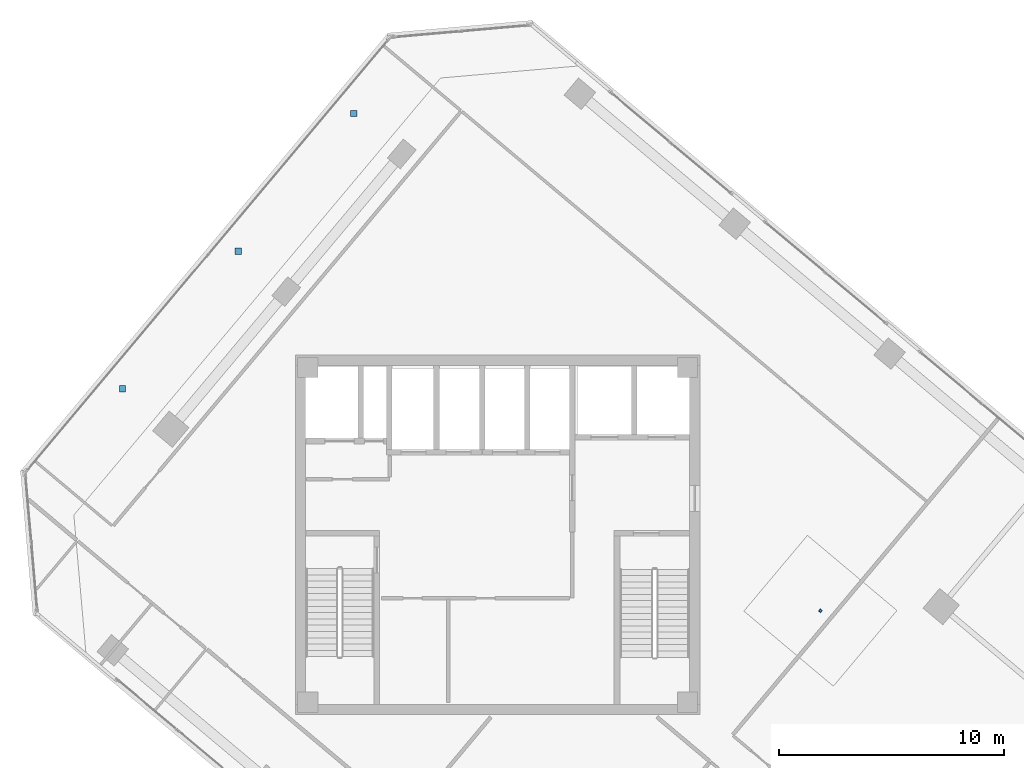
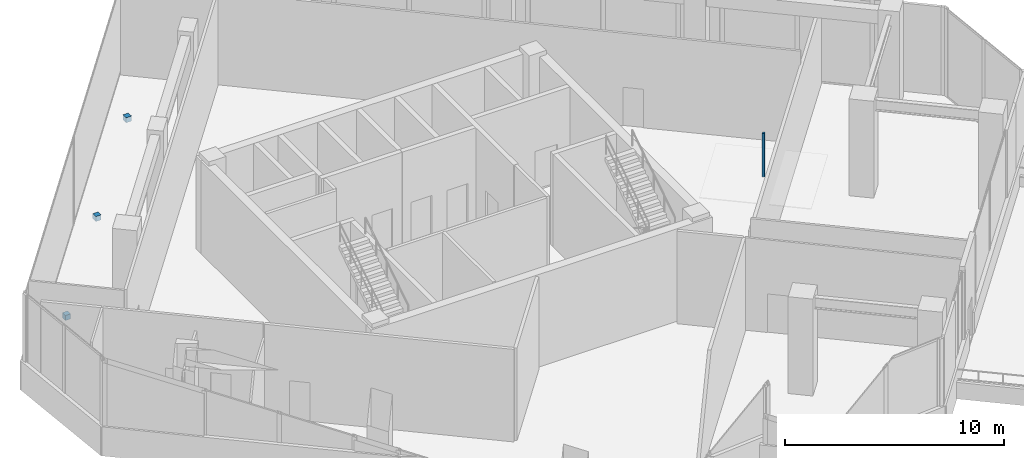
# One storey, part 14 of 17: 4 discrete accessories.
"""IFC4 building model written with IfcOpenShell, lengths in metres."""

from ifc_helpers import new_model, si_unit, direction, frame, origin, origin_2d, place, context, subcontext, project, spatial, rectangle, extrude, source, transform, mapped, material, type_object, element, save


model = new_model("IFC4")

# Units and contexts
model_context = context("Model", 3, precision=1e-05, world=origin(), true_north=direction((0.0, 1.0)))
body_context = subcontext(model_context, "Body", "Model", "MODEL_VIEW")
ifc_project = project(units=[si_unit("LENGTHUNIT", "METRE"), si_unit("AREAUNIT", "SQUARE_METRE"), si_unit("VOLUMEUNIT", "CUBIC_METRE"), si_unit("PLANEANGLEUNIT", "RADIAN"), si_unit("MASSUNIT", "GRAM", prefix="KILO")], contexts=[model_context])

# Site, building, storey
site_placement = place(None, origin())
site = spatial("IfcSite", under=ifc_project, at=site_placement, CompositionType="ELEMENT")
building_placement = place(site_placement, origin())
building = spatial("IfcBuilding", under=site, at=building_placement, Name="Torre Montelarca", CompositionType="ELEMENT")
storey_placement = place(building_placement, frame((0.0, 0.0, 215.199951171875)))
storey = spatial("IfcBuildingStorey", under=building, at=storey_placement, Name="L48", CompositionType="ELEMENT", Elevation=215.199951171875)

# Discrete accessories
ifc_material_1 = material(Name="Stainless steel AISI 316", Category="steel")
discrete_accessory_type_1 = type_object("IfcDiscreteAccessoryType", Name="ACC-BRACKET-SS", PredefinedType="BRACKET", material=ifc_material_1)
shared_shape_1 = source(origin(), body_context, "Body", "SweptSolid", [
    extrude(rectangle(XDim=0.280029296875, YDim=0.280029296875, at=origin_2d()), origin(), (0.0, 0.0, 1.0), 0.280029296875),
])
for number, where, z_axis, x_axis, name in (
    (1, (1.304931640625, 38.50244140625, -0.27978515625), (0.0, 0.0, 1.0), (1.0, 0.0, 0.0), "L48 Raker End Connection Bracket W1-HD"),
    (2, (6.447265625, 44.630859375, -0.27978515625), (0.0, 0.0, 1.0), (1.0, 0.0, 0.0), "L48 Raker End Connection Bracket W2-HD"),
    (3, (11.589599609375, 50.759033203125, -0.27978515625), (0.0, 0.0, 1.0), (1.0, 0.0, 0.0), "L48 Raker End Connection Bracket W3-HD"),
):
    element("IfcDiscreteAccessory", number, at=place(storey_placement, frame(where, z_axis=z_axis, x_axis=x_axis)), inside=storey, type_object=discrete_accessory_type_1, Name=name, PredefinedType="BRACKET", context=body_context, shape_type="MappedRepresentation", body=[
        mapped(shared_shape_1, transform((0.0, 0.0, 0.0), scale=1.0)),
    ])
ifc_material_2 = material(Name="Galvanized steel suspension hanger", Category="steel")
discrete_accessory_type_2 = type_object("IfcDiscreteAccessoryType", Name="ACC-CEIL-HNG", PredefinedType="BRACKET", material=ifc_material_2)
shared_shape_2 = source(origin(), body_context, "Body", "SweptSolid", [
    extrude(rectangle(XDim=0.1201171875, YDim=0.1201171875, at=origin_2d()), origin(), (0.0, 0.0, 1.0), 2.419921875),
])
discrete_accessory_placement = place(storey_placement, frame((32.37158203125, 28.621337890625, 2.760009765625), z_axis=(0.0, 0.0, 1.0), x_axis=(-0.766044443119, 0.642787609687, 0.0)))
element("IfcDiscreteAccessory", 4, at=discrete_accessory_placement, inside=storey, type_object=discrete_accessory_type_2, Name="L48 Suspended Ceiling Hanger Bracket 01", PredefinedType="BRACKET", context=body_context, shape_type="MappedRepresentation", body=[
    mapped(shared_shape_2, transform((0.0, 0.0, 0.0), scale=1.0)),
])

save(model, "model.ifc")
